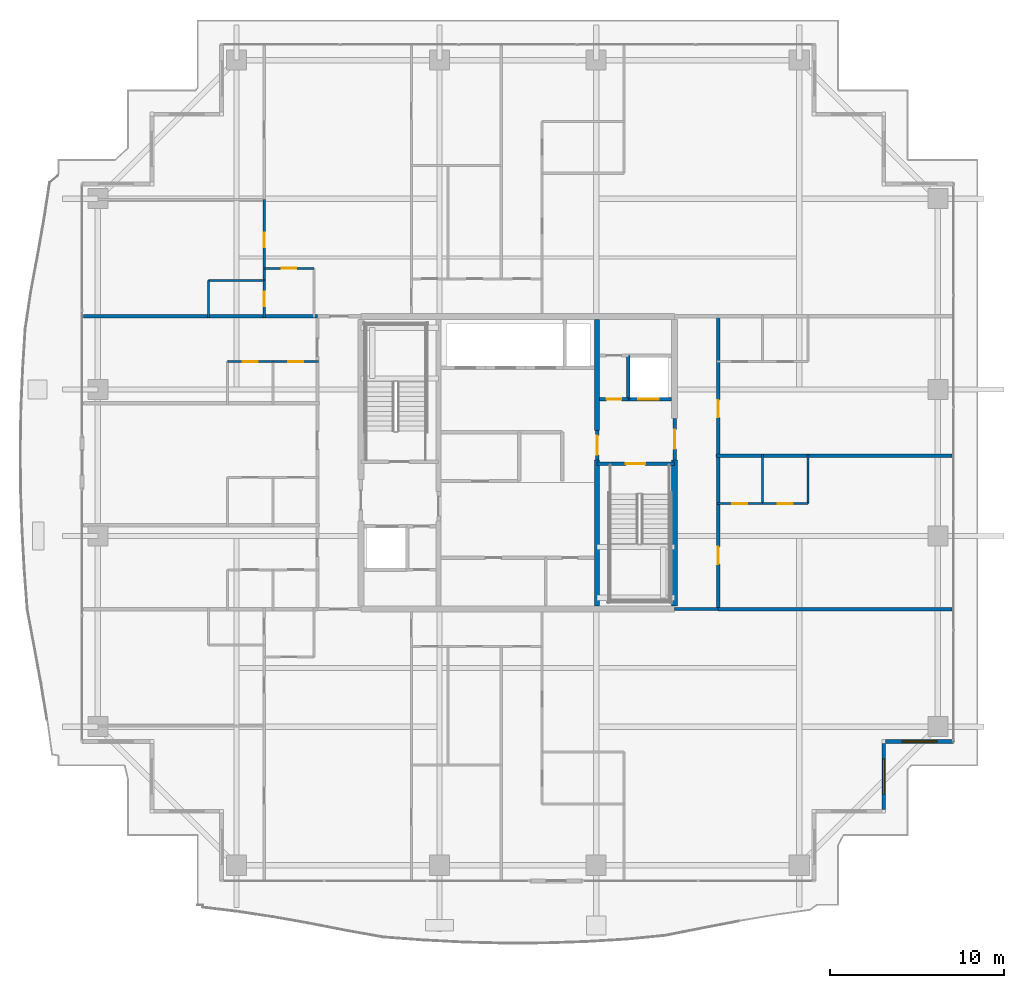
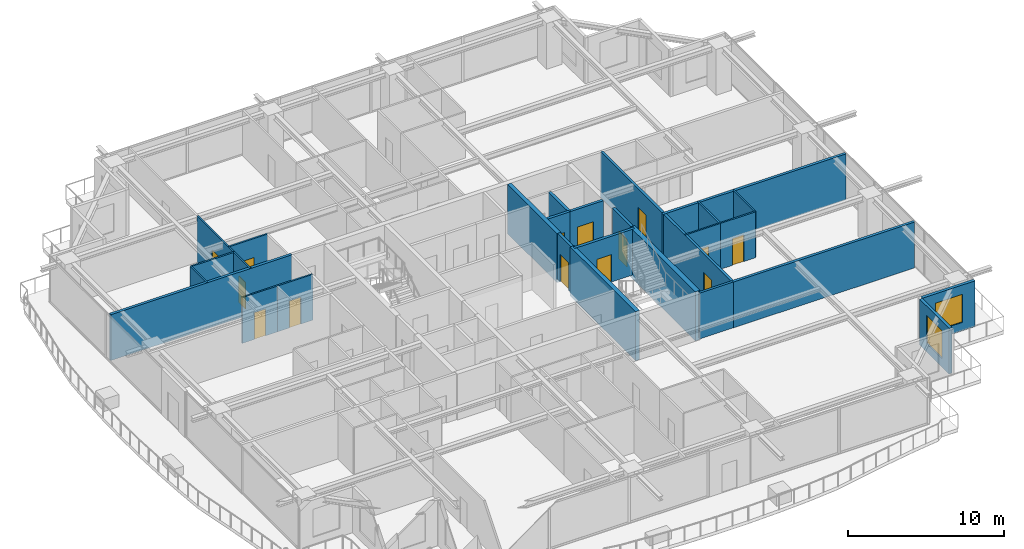
# One storey, part 27 of 36: 27 walls, 14 doors, 2 windows, 16 openings.
"""IFC4 building model written with IfcOpenShell, lengths in metres."""

from ifc_helpers import new_model, si_unit, direction, frame, frame_2d, origin, place, context, subcontext, project, spatial, rectangle, extrude, source, transform, mapped, material, layer, layer_set, type_object, element, fill, save


model = new_model("IFC4")

# Units and contexts
model_context = context("Model", 3, precision=1e-05, world=origin(), true_north=direction((0.0, 1.0)))
body_context = subcontext(model_context, "Body", "Model", "MODEL_VIEW")
ifc_project = project(units=[si_unit("LENGTHUNIT", "METRE"), si_unit("AREAUNIT", "SQUARE_METRE"), si_unit("VOLUMEUNIT", "CUBIC_METRE"), si_unit("PLANEANGLEUNIT", "RADIAN"), si_unit("MASSUNIT", "GRAM", prefix="KILO")], contexts=[model_context])

# Site, building, storey
site_placement = place(None, origin())
site = spatial("IfcSite", under=ifc_project, at=site_placement, CompositionType="ELEMENT")
building_placement = place(site_placement, origin())
building = spatial("IfcBuilding", under=site, at=building_placement, Name="Serunith Strait Residences", CompositionType="ELEMENT")
storey_placement = place(building_placement, frame((0.0, 0.0, 272.050048828125)))
storey = spatial("IfcBuildingStorey", under=building, at=storey_placement, Name="L68", CompositionType="ELEMENT", Elevation=272.050048828125)

# Wall, opening, window
ifc_material_1 = material(Name="Pale-Champagne Aluminium Insulated Panel", Category="aluminium")
ifc_layer_1 = layer(ifc_material_1, 0.219970703125, Name="Pale-Champagne Aluminium Insulated Panel")
ifc_layer_set_1 = layer_set([ifc_layer_1], Name="Pale-Champagne Aluminium Insulated Panel")
wall_type_1 = type_object("IfcWallType", Name="EW-ALUM-220", PredefinedType="ELEMENTEDWALL", material=ifc_layer_set_1)
wall_1_placement = place(storey_placement, frame((53.39990234375, 5.31005859375, 0.0), z_axis=(0.0, 0.0, 1.0), x_axis=(0.0, 1.0, 0.0)))
wall_1 = element("IfcWall", 1, at=wall_1_placement, inside=storey, type_object=wall_type_1, Name="L68 Girih Serrated Corner Wall 04", PredefinedType="ELEMENTEDWALL", context=body_context, shape_type="SweptSolid", body=[
    extrude(rectangle(XDim=3.780029296875, YDim=0.219970703125, at=frame_2d((1.89013671875, 0.0))), origin(), (0.0, 0.0, 1.0), 3.574951171875),
])
opening_1_placement = place(wall_1_placement, frame((0.889892578125, 0.0, 0.64990234375)))
opening_1 = element("IfcOpeningElement", 2, at=opening_1_placement, cuts=wall_1, Name="Opening W-04", PredefinedType="OPENING", context=body_context, shape_type="SweptSolid", body=[
    extrude(rectangle(XDim=2.0, YDim=2.199951171875, at=frame_2d((1.0, 1.10009765625))), frame((0.0, 0.1201171875, 0.0), z_axis=(0.0, -1.0, 0.0), x_axis=(1.0, 0.0, 0.0)), (0.0, 0.0, 1.0), 0.239990234375),
])
ifc_material_2 = material(Name="Ceramic-Fritted Operable Aluminium Window Glass", Category="aluminium")
window_type = type_object("IfcWindowType", Name="WIN-C4", PartitioningType="TRIPLE_PANEL_VERTICAL", PredefinedType="WINDOW", material=ifc_material_2)
shared_shape_1 = source(origin(), body_context, "Body", "SweptSolid", [
    extrude(rectangle(XDim=2.0, YDim=2.199951171875, at=frame_2d((1.0, 1.10009765625))), frame((0.0, 0.030029296875, 0.0), z_axis=(0.0, -1.0, 0.0), x_axis=(1.0, 0.0, 0.0)), (0.0, 0.0, 1.0), 0.06005859375),
])
window_1_placement = place(opening_1_placement, origin())
window_1 = element("IfcWindow", 3, at=window_1_placement, inside=storey, type_object=window_type, Name="L68 Corner Operable Fritted Window 04", OverallHeight=2.199951171875, OverallWidth=2.0, PartitioningType="SINGLE_PANEL", PredefinedType="WINDOW", context=body_context, shape_type="MappedRepresentation", body=[
    mapped(shared_shape_1, transform((0.0, 0.0, 0.0), scale=1.0)),
])
fill(opening_1, window_1)

wall_2_placement = place(storey_placement, frame((53.510009765625, 9.199951171875, 0.0), z_axis=(0.0, 0.0, 1.0), x_axis=(1.0, 0.0, 0.0)))
wall_2 = element("IfcWall", 4, at=wall_2_placement, inside=storey, type_object=wall_type_1, Name="L68 Girih Serrated Corner Wall 05", PredefinedType="ELEMENTEDWALL", context=body_context, shape_type="SweptSolid", body=[
    extrude(rectangle(XDim=3.889892578125, YDim=0.219970703125, at=frame_2d((1.94482421875, 0.0))), origin(), (0.0, 0.0, 1.0), 3.574951171875),
])
opening_2_placement = place(wall_2_placement, frame((0.945068359375, 0.0, 0.64990234375)))
opening_2 = element("IfcOpeningElement", 5, at=opening_2_placement, cuts=wall_2, Name="Opening W-04", PredefinedType="OPENING", context=body_context, shape_type="SweptSolid", body=[
    extrude(rectangle(XDim=2.0, YDim=2.199951171875, at=frame_2d((1.0, 1.10009765625))), frame((0.0, 0.1201171875, 0.0), z_axis=(0.0, -1.0, 0.0), x_axis=(1.0, 0.0, 0.0)), (0.0, 0.0, 1.0), 0.239990234375),
])
window_2_placement = place(opening_2_placement, origin())
window_2 = element("IfcWindow", 6, at=window_2_placement, inside=storey, type_object=window_type, Name="L68 Corner Operable Fritted Window 05", OverallHeight=2.199951171875, OverallWidth=2.0, PartitioningType="SINGLE_PANEL", PredefinedType="WINDOW", context=body_context, shape_type="MappedRepresentation", body=[
    mapped(shared_shape_1, transform((0.0, 0.0, 0.0), scale=1.0)),
])
fill(opening_2, window_2)

# Wall
ifc_material_3 = material(Name="Fire-rated acoustic gypsum partition")
ifc_layer_2 = layer(ifc_material_3, 0.179931640625, Name="Fire-rated acoustic gypsum partition")
ifc_layer_set_2 = layer_set([ifc_layer_2], Name="Fire-rated acoustic gypsum partition")
wall_type_2 = type_object("IfcWallType", Name="IW-CORR-180", PredefinedType="PARTITIONING", material=ifc_layer_set_2)
wall_3_placement = place(storey_placement, frame((41.402099609375, 16.800048828125, 0.0), z_axis=(0.0, 0.0, 1.0), x_axis=(1.0, 0.0, 0.0)))
element("IfcWall", 7, at=wall_3_placement, inside=storey, type_object=wall_type_2, Name="L68 Partition Wall 030", PredefinedType="PARTITIONING", context=body_context, shape_type="SweptSolid", body=[
    extrude(rectangle(XDim=2.495849609375, YDim=0.179931640625, at=frame_2d((1.248046875, 0.0))), origin(), (0.0, 0.0, 1.0), 3.58984375),
])

# Wall, openings, doors
wall_4_placement = place(storey_placement, frame((43.89990234375, 16.800048828125, 0.0), z_axis=(0.0, 0.0, 1.0), x_axis=(0.0, 1.0, 0.0)))
wall_4 = element("IfcWall", 8, at=wall_4_placement, inside=storey, type_object=wall_type_2, Name="L68 Partition Wall 032", PredefinedType="PARTITIONING", context=body_context, shape_type="SweptSolid", body=[
    extrude(rectangle(XDim=16.800048828125, YDim=0.179931640625, at=frame_2d((8.39990234375, 0.0))), origin(), (0.0, 0.0, 1.0), 3.58984375),
])
opening_3_placement = place(wall_4_placement, frame((2.574951171875, 0.0, 0.0)))
opening_3 = element("IfcOpeningElement", 9, at=opening_3_placement, cuts=wall_4, Name="Opening D-APT1000", PredefinedType="OPENING", context=body_context, shape_type="SweptSolid", body=[
    extrude(rectangle(XDim=1.0, YDim=2.14990234375, at=frame_2d((0.5, 1.074951171875))), frame((0.0, 0.10009765625, 0.0), z_axis=(0.0, -1.0, 0.0), x_axis=(1.0, 0.0, 0.0)), (0.0, 0.0, 1.0), 0.199951171875),
])
opening_4_placement = place(wall_4_placement, frame((10.9970703125, 0.0, 0.0)))
opening_4 = element("IfcOpeningElement", 10, at=opening_4_placement, cuts=wall_4, Name="Opening D-APT1000", PredefinedType="OPENING", context=body_context, shape_type="SweptSolid", body=[
    extrude(rectangle(XDim=1.0, YDim=2.14990234375, at=frame_2d((0.5, 1.074951171875))), frame((0.0, 0.10009765625, 0.0), z_axis=(0.0, -1.0, 0.0), x_axis=(1.0, 0.0, 0.0)), (0.0, 0.0, 1.0), 0.199951171875),
])
ifc_material_4 = material(Name="Solid timber engineered fire door", Category="wood")
door_type_1 = type_object("IfcDoorType", Name="ID-APT-1000", OperationType="NOTDEFINED", PredefinedType="DOOR", material=ifc_material_4)
shared_shape_2 = source(origin(), body_context, "Body", "SweptSolid", [
    extrude(rectangle(XDim=1.0, YDim=2.14990234375, at=frame_2d((0.5, 1.074951171875))), frame((0.0, 0.02490234375, 0.0), z_axis=(0.0, -1.0, 0.0), x_axis=(1.0, 0.0, 0.0)), (0.0, 0.0, 1.0), 0.050048828125),
])
door_1_placement = place(opening_3_placement, origin())
door_1 = element("IfcDoor", 11, at=door_1_placement, inside=storey, type_object=door_type_1, Name="L68 Unit 06 Entrance Door", OperationType="SINGLE_SWING_RIGHT", OverallHeight=2.14990234375, OverallWidth=1.0, PredefinedType="DOOR", context=body_context, shape_type="MappedRepresentation", body=[
    mapped(shared_shape_2, transform((0.0, 0.0, 0.0), scale=1.0)),
])
fill(opening_3, door_1)
door_2_placement = place(opening_4_placement, origin())
door_2 = element("IfcDoor", 12, at=door_2_placement, inside=storey, type_object=door_type_1, Name="L68 Unit 07 Entrance Door", OperationType="SINGLE_SWING_LEFT", OverallHeight=2.14990234375, OverallWidth=1.0, PredefinedType="DOOR", context=body_context, shape_type="MappedRepresentation", body=[
    mapped(shared_shape_2, transform((0.0, 0.0, 0.0), scale=1.0)),
])
fill(opening_4, door_2)

# Wall, opening, door
ifc_material_5 = material(Name="Lightweight steel-stud gypsum partition", Category="steel")
ifc_layer_3 = layer(ifc_material_5, 0.1201171875, Name="Lightweight steel-stud gypsum partition")
ifc_layer_set_3 = layer_set([ifc_layer_3], Name="Lightweight steel-stud gypsum partition")
wall_type_3 = type_object("IfcWallType", Name="IW-PART-120", PredefinedType="PARTITIONING", material=ifc_layer_set_3)
wall_5_placement = place(storey_placement, frame((17.85009765625, 36.35009765625, 0.0), z_axis=(0.0, 0.0, 1.0), x_axis=(1.0, 0.0, 0.0)))
wall_5 = element("IfcWall", 13, at=wall_5_placement, inside=storey, type_object=wall_type_3, Name="L68 Partition Wall 056", PredefinedType="PARTITIONING", context=body_context, shape_type="SweptSolid", body=[
    extrude(rectangle(XDim=2.849853515625, YDim=0.1201171875, at=frame_2d((1.4248046875, 0.0))), origin(), (0.0, 0.0, 1.0), 3.58984375),
])
opening_5_placement = place(wall_5_placement, frame((1.0, 0.0, 0.0)))
opening_5 = element("IfcOpeningElement", 14, at=opening_5_placement, cuts=wall_5, Name="Opening D-RM850", PredefinedType="OPENING", context=body_context, shape_type="SweptSolid", body=[
    extrude(rectangle(XDim=0.85009765625, YDim=2.10009765625, at=frame_2d((0.425048828125, 1.050048828125))), frame((0.0, 0.070068359375, 0.0), z_axis=(0.0, -1.0, 0.0), x_axis=(1.0, 0.0, 0.0)), (0.0, 0.0, 1.0), 0.14013671875),
])
ifc_material_6 = material(Name="Engineered timber flush study and kitchen door", Category="wood")
door_type_2 = type_object("IfcDoorType", Name="ID-ROOM-850", OperationType="NOTDEFINED", PredefinedType="DOOR", material=ifc_material_6)
shared_shape_3 = source(origin(), body_context, "Body", "SweptSolid", [
    extrude(rectangle(XDim=0.85009765625, YDim=2.10009765625, at=frame_2d((0.425048828125, 1.050048828125))), frame((0.0, 0.02490234375, 0.0), z_axis=(0.0, -1.0, 0.0), x_axis=(1.0, 0.0, 0.0)), (0.0, 0.0, 1.0), 0.050048828125),
])
door_3_placement = place(opening_5_placement, origin())
door_3 = element("IfcDoor", 15, at=door_3_placement, inside=storey, type_object=door_type_2, Name="L68 Kitchen 6802 Door", OperationType="SINGLE_SWING_LEFT", OverallHeight=2.10009765625, OverallWidth=0.85009765625, PredefinedType="DOOR", context=body_context, shape_type="MappedRepresentation", body=[
    mapped(shared_shape_3, transform((0.0, 0.0, 0.0), scale=1.0)),
])
fill(opening_5, door_3)

# Walls
wall_6_placement = place(storey_placement, frame((14.64990234375, 35.64990234375, 0.0), z_axis=(0.0, 0.0, 1.0), x_axis=(1.0, 0.0, 0.0)))
element("IfcWall", 16, at=wall_6_placement, inside=storey, type_object=wall_type_3, Name="L68 Partition Wall 060", PredefinedType="PARTITIONING", context=body_context, shape_type="SweptSolid", body=[
    extrude(rectangle(XDim=3.2001953125, YDim=0.1201171875, at=frame_2d((1.60009765625, 0.0))), origin(), (0.0, 0.0, 1.0), 3.58984375),
])
wall_7_placement = place(storey_placement, frame((14.64990234375, 35.64990234375, 0.0), z_axis=(0.0, 0.0, 1.0), x_axis=(0.0, -1.0, 0.0)))
element("IfcWall", 17, at=wall_7_placement, inside=storey, type_object=wall_type_3, Name="L68 Partition Wall 061", PredefinedType="PARTITIONING", context=body_context, shape_type="SweptSolid", body=[
    extrude(rectangle(XDim=2.10986328125, YDim=0.1201171875, at=frame_2d((1.054931640625, 0.0))), origin(), (0.0, 0.0, 1.0), 3.58984375),
])

# Wall, opening, door
wall_8_placement = place(storey_placement, frame((17.85009765625, 40.303955078125, 0.0), z_axis=(0.0, 0.0, 1.0), x_axis=(0.0, -1.0, 0.0)))
wall_8 = element("IfcWall", 18, at=wall_8_placement, inside=storey, type_object=wall_type_3, Name="L68 Partition Wall 062", PredefinedType="PARTITIONING", context=body_context, shape_type="SweptSolid", body=[
    extrude(rectangle(XDim=4.654052734375, YDim=0.1201171875, at=frame_2d((2.3271484375, 0.0))), origin(), (0.0, 0.0, 1.0), 3.58984375),
])
opening_6_placement = place(wall_8_placement, frame((1.902099609375, 0.0, 0.0)))
opening_6 = element("IfcOpeningElement", 19, at=opening_6_placement, cuts=wall_8, Name="Opening D-RM850", PredefinedType="OPENING", context=body_context, shape_type="SweptSolid", body=[
    extrude(rectangle(XDim=0.85009765625, YDim=2.10009765625, at=frame_2d((0.425048828125, 1.050048828125))), frame((0.0, 0.070068359375, 0.0), z_axis=(0.0, -1.0, 0.0), x_axis=(1.0, 0.0, 0.0)), (0.0, 0.0, 1.0), 0.14013671875),
])
door_4_placement = place(opening_6_placement, origin())
door_4 = element("IfcDoor", 20, at=door_4_placement, inside=storey, type_object=door_type_2, Name="L68 Walk-in Wardrobe 6802 Door", OperationType="SINGLE_SWING_LEFT", OverallHeight=2.10009765625, OverallWidth=0.85009765625, PredefinedType="DOOR", context=body_context, shape_type="MappedRepresentation", body=[
    mapped(shared_shape_3, transform((0.0, 0.0, 0.0), scale=1.0)),
])
fill(opening_6, door_4)

wall_9_placement = place(storey_placement, frame((17.85009765625, 35.64794921875, 0.0), z_axis=(0.0, 0.0, 1.0), x_axis=(0.0, -1.0, 0.0)))
wall_9 = element("IfcWall", 21, at=wall_9_placement, inside=storey, type_object=wall_type_3, Name="L68 Partition Wall 063", PredefinedType="PARTITIONING", context=body_context, shape_type="SweptSolid", body=[
    extrude(rectangle(XDim=2.10791015625, YDim=0.1201171875, at=frame_2d((1.053955078125, 0.0))), origin(), (0.0, 0.0, 1.0), 3.58984375),
])
opening_7_placement = place(wall_9_placement, frame((0.62890625, 0.0, 0.0)))
opening_7 = element("IfcOpeningElement", 22, at=opening_7_placement, cuts=wall_9, Name="Opening D-BTH850", PredefinedType="OPENING", context=body_context, shape_type="SweptSolid", body=[
    extrude(rectangle(XDim=0.85009765625, YDim=2.10009765625, at=frame_2d((0.425048828125, 1.050048828125))), frame((0.0, 0.070068359375, 0.0), z_axis=(0.0, -1.0, 0.0), x_axis=(1.0, 0.0, 0.0)), (0.0, 0.0, 1.0), 0.14013671875),
])
ifc_material_7 = material(Name="Moisture-resistant timber bathroom door", Category="wood")
door_type_3 = type_object("IfcDoorType", Name="ID-BATH-850", OperationType="NOTDEFINED", PredefinedType="DOOR", material=ifc_material_7)
door_5_placement = place(opening_7_placement, origin())
door_5 = element("IfcDoor", 23, at=door_5_placement, inside=storey, type_object=door_type_3, Name="L68 Bathroom 6802 Door", OperationType="SINGLE_SWING_RIGHT", OverallHeight=2.10009765625, OverallWidth=0.85009765625, PredefinedType="DOOR", context=body_context, shape_type="MappedRepresentation", body=[
    mapped(shared_shape_3, transform((0.0, 0.0, 0.0), scale=1.0)),
])
fill(opening_7, door_5)

wall_10_placement = place(storey_placement, frame((15.75, 31.0, 0.0), z_axis=(0.0, 0.0, 1.0), x_axis=(1.0, 0.0, 0.0)))
wall_10 = element("IfcWall", 24, at=wall_10_placement, inside=storey, type_object=wall_type_3, Name="L68 Partition Wall 087", PredefinedType="PARTITIONING", context=body_context, shape_type="SweptSolid", body=[
    extrude(rectangle(XDim=2.60009765625, YDim=0.1201171875, at=frame_2d((1.300048828125, 0.0))), origin(), (0.0, 0.0, 1.0), 3.58984375),
])
opening_8_placement = place(wall_10_placement, frame((0.875, 0.0, 0.0)))
opening_8 = element("IfcOpeningElement", 25, at=opening_8_placement, cuts=wall_10, Name="Opening D-RM850", PredefinedType="OPENING", context=body_context, shape_type="SweptSolid", body=[
    extrude(rectangle(XDim=0.85009765625, YDim=2.10009765625, at=frame_2d((0.425048828125, 1.050048828125))), frame((0.0, 0.070068359375, 0.0), z_axis=(0.0, -1.0, 0.0), x_axis=(1.0, 0.0, 0.0)), (0.0, 0.0, 1.0), 0.14013671875),
])
door_6_placement = place(opening_8_placement, origin())
door_6 = element("IfcDoor", 26, at=door_6_placement, inside=storey, type_object=door_type_2, Name="L68 Kitchen 6805 Door", OperationType="SINGLE_SWING_RIGHT", OverallHeight=2.10009765625, OverallWidth=0.85009765625, PredefinedType="DOOR", context=body_context, shape_type="MappedRepresentation", body=[
    mapped(shared_shape_3, transform((0.0, 0.0, 0.0), scale=1.0)),
])
fill(opening_8, door_6)

wall_11_placement = place(storey_placement, frame((18.35205078125, 31.0, 0.0), z_axis=(0.0, 0.0, 1.0), x_axis=(1.0, 0.0, 0.0)))
wall_11 = element("IfcWall", 27, at=wall_11_placement, inside=storey, type_object=wall_type_3, Name="L68 Partition Wall 088", PredefinedType="PARTITIONING", context=body_context, shape_type="SweptSolid", body=[
    extrude(rectangle(XDim=2.60791015625, YDim=0.1201171875, at=frame_2d((1.303955078125, 0.0))), origin(), (0.0, 0.0, 1.0), 3.58984375),
])
opening_9_placement = place(wall_11_placement, frame((0.87890625, 0.0, 0.0)))
opening_9 = element("IfcOpeningElement", 28, at=opening_9_placement, cuts=wall_11, Name="Opening D-BTH850", PredefinedType="OPENING", context=body_context, shape_type="SweptSolid", body=[
    extrude(rectangle(XDim=0.85009765625, YDim=2.10009765625, at=frame_2d((0.425048828125, 1.050048828125))), frame((0.0, 0.070068359375, 0.0), z_axis=(0.0, -1.0, 0.0), x_axis=(1.0, 0.0, 0.0)), (0.0, 0.0, 1.0), 0.14013671875),
])
door_7_placement = place(opening_9_placement, origin())
door_7 = element("IfcDoor", 29, at=door_7_placement, inside=storey, type_object=door_type_3, Name="L68 Bathroom 6805 Door", OperationType="SINGLE_SWING_LEFT", OverallHeight=2.10009765625, OverallWidth=0.85009765625, PredefinedType="DOOR", context=body_context, shape_type="MappedRepresentation", body=[
    mapped(shared_shape_3, transform((0.0, 0.0, 0.0), scale=1.0)),
])
fill(opening_9, door_7)

wall_12_placement = place(storey_placement, frame((49.050048828125, 22.85009765625, 0.0), z_axis=(0.0, 0.0, 1.0), x_axis=(-1.0, 0.0, 0.0)))
wall_12 = element("IfcWall", 30, at=wall_12_placement, inside=storey, type_object=wall_type_3, Name="L68 Partition Wall 091", PredefinedType="PARTITIONING", context=body_context, shape_type="SweptSolid", body=[
    extrude(rectangle(XDim=2.60009765625, YDim=0.1201171875, at=frame_2d((1.300048828125, 0.0))), origin(), (0.0, 0.0, 1.0), 3.58984375),
])
opening_10_placement = place(wall_12_placement, frame((0.875, 0.0, 0.0)))
opening_10 = element("IfcOpeningElement", 31, at=opening_10_placement, cuts=wall_12, Name="Opening D-RM850", PredefinedType="OPENING", context=body_context, shape_type="SweptSolid", body=[
    extrude(rectangle(XDim=0.85009765625, YDim=2.10009765625, at=frame_2d((0.425048828125, 1.050048828125))), frame((0.0, 0.070068359375, 0.0), z_axis=(0.0, -1.0, 0.0), x_axis=(1.0, 0.0, 0.0)), (0.0, 0.0, 1.0), 0.14013671875),
])
door_8_placement = place(opening_10_placement, origin())
door_8 = element("IfcDoor", 32, at=door_8_placement, inside=storey, type_object=door_type_2, Name="L68 Kitchen 6806 Door", OperationType="SINGLE_SWING_RIGHT", OverallHeight=2.10009765625, OverallWidth=0.85009765625, PredefinedType="DOOR", context=body_context, shape_type="MappedRepresentation", body=[
    mapped(shared_shape_3, transform((0.0, 0.0, 0.0), scale=1.0)),
])
fill(opening_10, door_8)

wall_13_placement = place(storey_placement, frame((46.447998046875, 22.85009765625, 0.0), z_axis=(0.0, 0.0, 1.0), x_axis=(-1.0, 0.0, 0.0)))
wall_13 = element("IfcWall", 33, at=wall_13_placement, inside=storey, type_object=wall_type_3, Name="L68 Partition Wall 092", PredefinedType="PARTITIONING", context=body_context, shape_type="SweptSolid", body=[
    extrude(rectangle(XDim=2.60791015625, YDim=0.1201171875, at=frame_2d((1.303955078125, 0.0))), origin(), (0.0, 0.0, 1.0), 3.58984375),
])
opening_11_placement = place(wall_13_placement, frame((0.87890625, 0.0, 0.0)))
opening_11 = element("IfcOpeningElement", 34, at=opening_11_placement, cuts=wall_13, Name="Opening D-BTH850", PredefinedType="OPENING", context=body_context, shape_type="SweptSolid", body=[
    extrude(rectangle(XDim=0.85009765625, YDim=2.10009765625, at=frame_2d((0.425048828125, 1.050048828125))), frame((0.0, 0.070068359375, 0.0), z_axis=(0.0, -1.0, 0.0), x_axis=(1.0, 0.0, 0.0)), (0.0, 0.0, 1.0), 0.14013671875),
])
door_9_placement = place(opening_11_placement, origin())
door_9 = element("IfcDoor", 35, at=door_9_placement, inside=storey, type_object=door_type_3, Name="L68 Bathroom 6806 Door", OperationType="SINGLE_SWING_LEFT", OverallHeight=2.10009765625, OverallWidth=0.85009765625, PredefinedType="DOOR", context=body_context, shape_type="MappedRepresentation", body=[
    mapped(shared_shape_3, transform((0.0, 0.0, 0.0), scale=1.0)),
])
fill(opening_11, door_9)

# Walls
for number, where, z_axis, x_axis, name in (
    (36, (46.449951171875, 22.85009765625, 0.0), (0.0, 0.0, 1.0), (0.0, 1.0, 0.0), "L68 Partition Wall 093"),
    (37, (49.050048828125, 22.85009765625, 0.0), (0.0, 0.0, 1.0), (0.0, 1.0, 0.0), "L68 Partition Wall 094"),
):
    element("IfcWall", number, at=place(storey_placement, frame(where, z_axis=z_axis, x_axis=x_axis)), inside=storey, type_object=wall_type_3, Name=name, PredefinedType="PARTITIONING", context=body_context, shape_type="SweptSolid", body=[
        extrude(rectangle(XDim=2.809814453125, YDim=0.1201171875, at=frame_2d((1.40478515625, 0.0))), origin(), (0.0, 0.0, 1.0), 3.58984375),
    ])
ifc_material_8 = material(Name="Twin-stud acoustic gypsum board partition")
ifc_layer_4 = layer(ifc_material_8, 0.199951171875, Name="Twin-stud acoustic gypsum board partition")
ifc_layer_set_4 = layer_set([ifc_layer_4], Name="Twin-stud acoustic gypsum board partition")
wall_type_4 = type_object("IfcWallType", Name="IW-PARTY-200", PredefinedType="PARTITIONING", material=ifc_layer_set_4)
wall_14_placement = place(storey_placement, frame((43.780029296875, 25.60009765625, 0.0), z_axis=(0.0, 0.0, 1.0), x_axis=(1.0, 0.0, 0.0)))
element("IfcWall", 38, at=wall_14_placement, inside=storey, type_object=wall_type_4, Name="L68 Partition Wall 022", PredefinedType="PARTITIONING", context=body_context, shape_type="SweptSolid", body=[
    extrude(rectangle(XDim=13.5380859375, YDim=0.199951171875, at=frame_2d((6.76904296875, 0.0))), origin(), (0.0, 0.0, 1.0), 3.58984375),
])
wall_15_placement = place(storey_placement, frame((43.89990234375, 16.800048828125, 0.0), z_axis=(0.0, 0.0, 1.0), x_axis=(1.0, 0.0, 0.0)))
element("IfcWall", 39, at=wall_15_placement, inside=storey, type_object=wall_type_4, Name="L68 Partition Wall 024", PredefinedType="PARTITIONING", context=body_context, shape_type="SweptSolid", body=[
    extrude(rectangle(XDim=13.418212890625, YDim=0.199951171875, at=frame_2d((6.708984375, 0.0))), origin(), (0.0, 0.0, 1.0), 3.58984375),
])
wall_16_placement = place(storey_placement, frame((7.48193359375, 33.60009765625, 0.0), z_axis=(0.0, 0.0, 1.0), x_axis=(1.0, 0.0, 0.0)))
element("IfcWall", 40, at=wall_16_placement, inside=storey, type_object=wall_type_4, Name="L68 Partition Wall 025", PredefinedType="PARTITIONING", context=body_context, shape_type="SweptSolid", body=[
    extrude(rectangle(XDim=13.41796875, YDim=0.199951171875, at=frame_2d((6.708984375, 0.0))), origin(), (0.0, 0.0, 1.0), 3.58984375),
])

# Wall, opening, door
ifc_material_9 = material(Name="Autoclaved aerated concrete blockwork", Category="masonry")
ifc_layer_5 = layer(ifc_material_9, 0.199951171875, Name="Autoclaved aerated concrete blockwork")
ifc_layer_set_5 = layer_set([ifc_layer_5], Name="Autoclaved aerated concrete blockwork")
wall_type_5 = type_object("IfcWallType", Name="IW-SHAFT-200", PredefinedType="STANDARD", material=ifc_layer_set_5)
wall_17_placement = place(storey_placement, frame((36.949951171875, 25.14990234375, 0.0), z_axis=(0.0, 0.0, 1.0), x_axis=(1.0, 0.0, 0.0)))
wall_17 = element("IfcWall", 41, at=wall_17_placement, inside=storey, type_object=wall_type_5, Name="L68 ST-2 North Shaft Wall", PredefinedType="STANDARD", context=body_context, shape_type="SweptSolid", body=[
    extrude(rectangle(XDim=4.449951171875, YDim=0.199951171875, at=frame_2d((2.22509765625, 0.0))), origin(), (0.0, 0.0, 1.0), 3.58984375),
])
opening_12_placement = place(wall_17_placement, frame((1.64990234375, 0.0, 0.0)))
opening_12 = element("IfcOpeningElement", 42, at=opening_12_placement, cuts=wall_17, Name="Opening FD-1100", PredefinedType="OPENING", context=body_context, shape_type="SweptSolid", body=[
    extrude(rectangle(XDim=1.10009765625, YDim=2.14990234375, at=frame_2d((0.550048828125, 1.074951171875))), frame((0.0, 0.10986328125, 0.0), z_axis=(0.0, -1.0, 0.0), x_axis=(1.0, 0.0, 0.0)), (0.0, 0.0, 1.0), 0.219970703125),
])
ifc_material_10 = material(Name="Galvanised steel fire door leaf", Category="steel")
door_type_4 = type_object("IfcDoorType", Name="FD-STAIR-1100", OperationType="NOTDEFINED", PredefinedType="DOOR", material=ifc_material_10)
shared_shape_4 = source(origin(), body_context, "Body", "SweptSolid", [
    extrude(rectangle(XDim=1.10009765625, YDim=2.14990234375, at=frame_2d((0.550048828125, 1.074951171875))), frame((0.0, 0.02490234375, 0.0), z_axis=(0.0, -1.0, 0.0), x_axis=(1.0, 0.0, 0.0)), (0.0, 0.0, 1.0), 0.050048828125),
])
door_10_placement = place(opening_12_placement, origin())
door_10 = element("IfcDoor", 43, at=door_10_placement, inside=storey, type_object=door_type_4, Name="L68 ST-2 Escape Stair Door", OperationType="SINGLE_SWING_LEFT", OverallHeight=2.14990234375, OverallWidth=1.10009765625, PredefinedType="DOOR", context=body_context, shape_type="MappedRepresentation", body=[
    mapped(shared_shape_4, transform((0.0, 0.0, 0.0), scale=1.0)),
])
fill(opening_12, door_10)

wall_18_placement = place(storey_placement, frame((38.75, 28.85009765625, 0.0), z_axis=(0.0, 0.0, 1.0), x_axis=(1.0, 0.0, 0.0)))
wall_18 = element("IfcWall", 44, at=wall_18_placement, inside=storey, type_object=wall_type_5, Name="L68 FL-2 South Shaft Wall", PredefinedType="STANDARD", context=body_context, shape_type="SweptSolid", body=[
    extrude(rectangle(XDim=2.47509765625, YDim=0.199951171875, at=frame_2d((1.237548828125, 0.0))), origin(), (0.0, 0.0, 1.0), 3.58984375),
])
opening_13_placement = place(wall_18_placement, frame((0.550048828125, 0.0, 0.0)))
opening_13 = element("IfcOpeningElement", 45, at=opening_13_placement, cuts=wall_18, Name="Opening LD-FF1200", PredefinedType="OPENING", context=body_context, shape_type="SweptSolid", body=[
    extrude(rectangle(XDim=1.199951171875, YDim=2.199951171875, at=frame_2d((0.60009765625, 1.10009765625))), frame((0.0, 0.10986328125, 0.0), z_axis=(0.0, -1.0, 0.0), x_axis=(1.0, 0.0, 0.0)), (0.0, 0.0, 1.0), 0.219970703125),
])
ifc_material_11 = material(Name="Brushed stainless steel landing door", Category="steel")
door_type_5 = type_object("IfcDoorType", Name="LD-FF-1200", OperationType="DOUBLE_DOOR_SLIDING", PredefinedType="DOOR", material=ifc_material_11)
shared_shape_5 = source(origin(), body_context, "Body", "SweptSolid", [
    extrude(rectangle(XDim=1.199951171875, YDim=2.199951171875, at=frame_2d((0.60009765625, 1.10009765625))), frame((0.0, 0.02490234375, 0.0), z_axis=(0.0, -1.0, 0.0), x_axis=(1.0, 0.0, 0.0)), (0.0, 0.0, 1.0), 0.050048828125),
])
door_11_placement = place(opening_13_placement, origin())
door_11 = element("IfcDoor", 46, at=door_11_placement, inside=storey, type_object=door_type_5, Name="L68 FL-2 Landing Door", OperationType="DOUBLE_DOOR_SLIDING", OverallHeight=2.199951171875, OverallWidth=1.199951171875, PredefinedType="DOOR", context=body_context, shape_type="MappedRepresentation", body=[
    mapped(shared_shape_5, transform((0.0, 0.0, 0.0), scale=1.0)),
])
fill(opening_13, door_11)

# Wall
wall_19_placement = place(storey_placement, frame((38.75, 28.85009765625, 0.0), z_axis=(0.0, 0.0, 1.0), x_axis=(0.0, 1.0, 0.0)))
element("IfcWall", 47, at=wall_19_placement, inside=storey, type_object=wall_type_5, Name="L68 Partition Wall 004", PredefinedType="STANDARD", context=body_context, shape_type="SweptSolid", body=[
    extrude(rectangle(XDim=2.5, YDim=0.199951171875, at=frame_2d((1.25, 0.0))), origin(), (0.0, 0.0, 1.0), 3.58984375),
])

# Wall, opening, door
wall_20_placement = place(storey_placement, frame((37.10009765625, 28.85009765625, 0.0), z_axis=(0.0, 0.0, 1.0), x_axis=(1.0, 0.0, 0.0)))
wall_20 = element("IfcWall", 48, at=wall_20_placement, inside=storey, type_object=wall_type_5, Name="L68 Partition Wall 006", PredefinedType="STANDARD", context=body_context, shape_type="SweptSolid", body=[
    extrude(rectangle(XDim=1.64794921875, YDim=0.199951171875, at=frame_2d((0.823974609375, 0.0))), origin(), (0.0, 0.0, 1.0), 3.58984375),
])
opening_14_placement = place(wall_20_placement, frame((0.39892578125, 0.0, 0.0)))
opening_14 = element("IfcOpeningElement", 49, at=opening_14_placement, cuts=wall_20, Name="Opening FD-850", PredefinedType="OPENING", context=body_context, shape_type="SweptSolid", body=[
    extrude(rectangle(XDim=0.85009765625, YDim=2.10009765625, at=frame_2d((0.425048828125, 1.050048828125))), frame((0.0, 0.10986328125, 0.0), z_axis=(0.0, -1.0, 0.0), x_axis=(1.0, 0.0, 0.0)), (0.0, 0.0, 1.0), 0.219970703125),
])
ifc_material_12 = material(Name="Powder-coated steel service closet door", Category="steel")
door_type_6 = type_object("IfcDoorType", Name="FD-BOH-850", OperationType="NOTDEFINED", PredefinedType="DOOR", material=ifc_material_12)
door_12_placement = place(opening_14_placement, origin())
door_12 = element("IfcDoor", 50, at=door_12_placement, inside=storey, type_object=door_type_6, Name="L68 North-East Core Service Door", OperationType="SINGLE_SWING_LEFT", OverallHeight=2.10009765625, OverallWidth=0.85009765625, PredefinedType="DOOR", context=body_context, shape_type="MappedRepresentation", body=[
    mapped(shared_shape_3, transform((0.0, 0.0, 0.0), scale=1.0)),
])
fill(opening_14, door_12)

wall_21_placement = place(storey_placement, frame((41.39990234375, 25.35205078125, 0.0), z_axis=(0.0, 0.0, 1.0), x_axis=(0.0, 1.0, 0.0)))
wall_21 = element("IfcWall", 51, at=wall_21_placement, inside=storey, type_object=wall_type_5, Name="L68 Partition Wall 008", PredefinedType="STANDARD", context=body_context, shape_type="SweptSolid", body=[
    extrude(rectangle(XDim=2.39599609375, YDim=0.199951171875, at=frame_2d((1.197998046875, 0.0))), origin(), (0.0, 0.0, 1.0), 3.58984375),
])
opening_15_placement = place(wall_21_placement, frame((0.64794921875, 0.0, 0.0)))
opening_15 = element("IfcOpeningElement", 52, at=opening_15_placement, cuts=wall_21, Name="Opening FD-FFL", PredefinedType="OPENING", context=body_context, shape_type="SweptSolid", body=[
    extrude(rectangle(XDim=1.10009765625, YDim=2.14990234375, at=frame_2d((0.550048828125, 1.074951171875))), frame((0.0, 0.10986328125, 0.0), z_axis=(0.0, -1.0, 0.0), x_axis=(1.0, 0.0, 0.0)), (0.0, 0.0, 1.0), 0.219970703125),
])
ifc_material_13 = material(Name="Glazed steel smoke-lobby fire door", Category="steel")
door_type_7 = type_object("IfcDoorType", Name="FD-FFL-1100", OperationType="NOTDEFINED", PredefinedType="DOOR", material=ifc_material_13)
door_13_placement = place(opening_15_placement, origin())
door_13 = element("IfcDoor", 53, at=door_13_placement, inside=storey, type_object=door_type_7, Name="L68 FFL-2 Corridor Fire Door", OperationType="SINGLE_SWING_LEFT", OverallHeight=2.14990234375, OverallWidth=1.10009765625, PredefinedType="DOOR", context=body_context, shape_type="MappedRepresentation", body=[
    mapped(shared_shape_4, transform((0.0, 0.0, 0.0), scale=1.0)),
])
fill(opening_15, door_13)

wall_22_placement = place(storey_placement, frame((36.949951171875, 25.35205078125, 0.0), z_axis=(0.0, 0.0, 1.0), x_axis=(0.0, 1.0, 0.0)))
wall_22 = element("IfcWall", 54, at=wall_22_placement, inside=storey, type_object=wall_type_5, Name="L68 Partition Wall 010", PredefinedType="STANDARD", context=body_context, shape_type="SweptSolid", body=[
    extrude(rectangle(XDim=1.696044921875, YDim=0.199951171875, at=frame_2d((0.84814453125, 0.0))), origin(), (0.0, 0.0, 1.0), 3.58984375),
])
opening_16_placement = place(wall_22_placement, frame((0.298095703125, 0.0, 0.0)))
opening_16 = element("IfcOpeningElement", 55, at=opening_16_placement, cuts=wall_22, Name="Opening FD-FFL", PredefinedType="OPENING", context=body_context, shape_type="SweptSolid", body=[
    extrude(rectangle(XDim=1.10009765625, YDim=2.14990234375, at=frame_2d((0.550048828125, 1.074951171875))), frame((0.0, 0.10986328125, 0.0), z_axis=(0.0, -1.0, 0.0), x_axis=(1.0, 0.0, 0.0)), (0.0, 0.0, 1.0), 0.219970703125),
])
door_14_placement = place(opening_16_placement, origin())
door_14 = element("IfcDoor", 56, at=door_14_placement, inside=storey, type_object=door_type_7, Name="L68 FFL-2 Lift Lobby Door", OperationType="SINGLE_SWING_LEFT", OverallHeight=2.14990234375, OverallWidth=1.10009765625, PredefinedType="DOOR", context=body_context, shape_type="MappedRepresentation", body=[
    mapped(shared_shape_4, transform((0.0, 0.0, 0.0), scale=1.0)),
])
fill(opening_16, door_14)

# Walls
ifc_material_14 = material(Name="Concrete C60/75", Category="concrete")
ifc_layer_6 = layer(ifc_material_14, 0.300048828125, Name="Concrete C60/75")
ifc_layer_set_6 = layer_set([ifc_layer_6], Name="Concrete C60/75")
wall_type_6 = type_object("IfcWallType", Name="SW-300-C60", PredefinedType="SHEAR", material=ifc_layer_set_6)
wall_23_placement = place(storey_placement, frame((36.949951171875, 16.97509765625, -0.260009765625), z_axis=(0.0, 0.0, 1.0), x_axis=(0.0, 1.0, 0.0)))
element("IfcWall", 57, at=wall_23_placement, inside=storey, type_object=wall_type_6, Name="L68 Core Internal East Web South Pier", PredefinedType="SHEAR", context=body_context, shape_type="SweptSolid", body=[
    extrude(rectangle(XDim=8.375, YDim=0.300048828125, at=frame_2d((4.1875, 0.0))), origin(), (0.0, 0.0, 1.0), 3.847900390625),
])
wall_24_placement = place(storey_placement, frame((36.949951171875, 27.050048828125, -0.260009765625), z_axis=(0.0, 0.0, 1.0), x_axis=(0.0, 1.0, 0.0)))
element("IfcWall", 58, at=wall_24_placement, inside=storey, type_object=wall_type_6, Name="L68 Core Internal East Web North Pier", PredefinedType="SHEAR", context=body_context, shape_type="SweptSolid", body=[
    extrude(rectangle(XDim=6.375, YDim=0.300048828125, at=frame_2d((3.1875, 0.0))), origin(), (0.0, 0.0, 1.0), 3.847900390625),
])
ifc_layer_7 = layer(ifc_material_14, 0.35009765625, Name="Concrete C60/75")
ifc_layer_set_7 = layer_set([ifc_layer_7], Name="Concrete C60/75")
wall_type_7 = type_object("IfcWallType", Name="SW-350-C60", PredefinedType="SHEAR", material=ifc_layer_set_7)
wall_25_placement = place(storey_placement, frame((41.39990234375, 16.97509765625, -0.260009765625), z_axis=(0.0, 0.0, 1.0), x_axis=(0.0, 1.0, 0.0)))
element("IfcWall", 59, at=wall_25_placement, inside=storey, type_object=wall_type_7, Name="L68 Core East Shear Wall South Pier", PredefinedType="SHEAR", context=body_context, shape_type="SweptSolid", body=[
    extrude(rectangle(XDim=8.375, YDim=0.35009765625, at=frame_2d((4.1875, 0.0))), origin(), (0.0, 0.0, 1.0), 3.847900390625),
])

save(model, "model.ifc")
